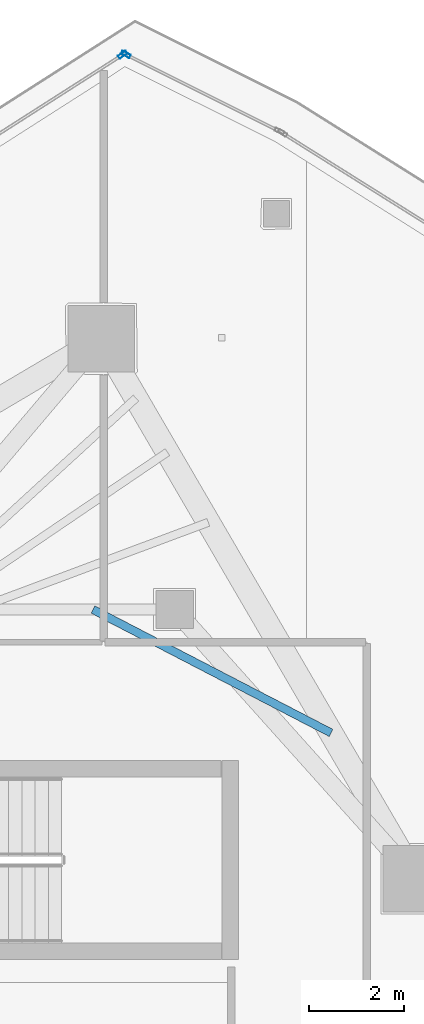
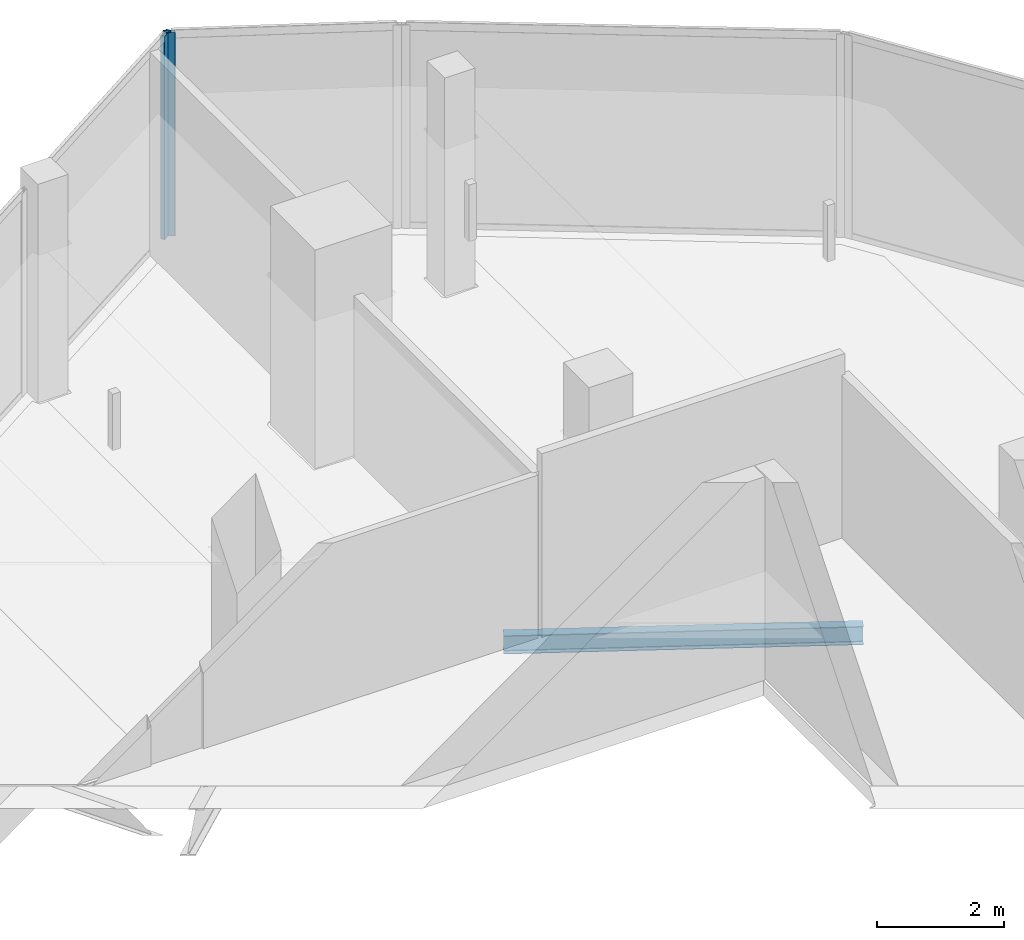
# One storey, part 16 of 27: 2 members, 1 beam, 2 elements without a shape of their own.
"""IFC4 building model written with IfcOpenShell, lengths in metres."""

import ifcopenshell
import ifcopenshell.guid

model = None  # the IFC model being written
_history = None  # IfcOwnerHistory: only IFC2X3 demands one
_inside = {}  # id of a spatial element -> (the spatial element, [elements in it])
_under = {}  # id of a project, library or spatial element -> (it, [spatial elements below it])
_declared = {}  # id of a project -> (the project, [libraries it declares])
_typed = {}  # id of a type object -> (the type object, [elements of that type])
_made_of = {}  # id of a material, layer set ... -> (it, [elements and type objects made of it])


def new_model(schema):
    """Start an empty IFC model of exactly this schema.

    Asked for "IFC4X3", IfcOpenShell would pick the latest addendum, in which some entities
    have other attributes; the version numbers below select the first issue.
    IFC2X3 requires an IfcOwnerHistory on every rooted entity: one is made here for all.
    """
    global model, _history
    if schema == "IFC4X3":
        model = ifcopenshell.file(schema_version=(4, 3, 0, 0))
    else:
        model = ifcopenshell.file(schema=schema)
    _inside.clear()
    _under.clear()
    _declared.clear()
    _typed.clear()
    _made_of.clear()
    _history = None
    if model.schema == "IFC2X3":
        org = make("IfcOrganization", Name="unknown")
        user = make(
            "IfcPersonAndOrganization",
            ThePerson=make("IfcPerson", FamilyName="unknown"),
            TheOrganization=org,
        )
        app = make(
            "IfcApplication",
            ApplicationDeveloper=org,
            Version="unknown",
            ApplicationFullName="unknown",
            ApplicationIdentifier="unknown",
        )
        _history = make(
            "IfcOwnerHistory",
            OwningUser=user,
            OwningApplication=app,
            ChangeAction="ADDED",
            CreationDate=0,
        )
    return model


def make(cls, **values):
    """One entity of the class cls with the attributes given. An attribute that is None is left unset."""
    return model.create_entity(
        cls, **{name: value for name, value in values.items() if value is not None}
    )


def rooted(cls, **values):
    """An entity with a GlobalId (a new one), such as an element, a storey or a relation."""
    return make(cls, GlobalId=ifcopenshell.guid.new(), OwnerHistory=_history, **values)


def si_unit(unit_type, name, prefix=None):
    """IfcSIUnit, for example si_unit("LENGTHUNIT", "METRE", prefix="MILLI")."""
    return make("IfcSIUnit", UnitType=unit_type, Prefix=prefix, Name=name)


def assignment(units):
    """IfcUnitAssignment: the units of a project."""
    return None if units is None else make("IfcUnitAssignment", Units=units)


def point(xyz):
    """IfcCartesianPoint."""
    return None if xyz is None else make("IfcCartesianPoint", Coordinates=xyz)


def direction(xyz):
    """IfcDirection."""
    return None if xyz is None else make("IfcDirection", DirectionRatios=xyz)


def frame(location, z_axis=None, x_axis=None):
    """IfcAxis2Placement3D, a coordinate frame: its origin and axes. An axis left out is left unset."""
    return make(
        "IfcAxis2Placement3D",
        Location=point(location),
        Axis=direction(z_axis),
        RefDirection=direction(x_axis),
    )


def frame_2d(location, x_axis=None):
    """IfcAxis2Placement2D, a coordinate frame in the plane: its origin and x axis."""
    return make(
        "IfcAxis2Placement2D", Location=point(location), RefDirection=direction(x_axis)
    )


def origin():
    """The frame at (0, 0, 0) with its axes left unset."""
    return frame((0.0, 0.0, 0.0))


def origin_2d():
    """The frame at (0, 0) in the plane with its x axis left unset."""
    return frame_2d((0.0, 0.0))


def place(relative_to, where):
    """IfcLocalPlacement: puts the frame where relative to a parent placement (None: the world)."""
    return make(
        "IfcLocalPlacement", PlacementRelTo=relative_to, RelativePlacement=where
    )


def context(
    kind, dimensions, precision=None, world=None, true_north=None, identifier=None
):
    """IfcGeometricRepresentationContext, for example the 3D "Model" context."""
    return make(
        "IfcGeometricRepresentationContext",
        ContextIdentifier=identifier,
        ContextType=kind,
        CoordinateSpaceDimension=dimensions,
        Precision=precision,
        WorldCoordinateSystem=world,
        TrueNorth=true_north,
    )


def subcontext(parent, identifier, kind, view, scale=None):
    """IfcGeometricRepresentationSubContext, for example "Body" below "Model"."""
    return make(
        "IfcGeometricRepresentationSubContext",
        ContextIdentifier=identifier,
        ContextType=kind,
        ParentContext=parent,
        TargetScale=scale,
        TargetView=view,
    )


def project(units=None, contexts=None):
    """IfcProject with its units and contexts."""
    return rooted(
        "IfcProject",
        Name="project",
        RepresentationContexts=contexts,
        UnitsInContext=assignment(units),
    )


def spatial(cls, under=None, at=None, **own):
    """A site, building, storey or space (cls), placed at a placement, below another one or the project."""
    s = rooted(cls, ObjectPlacement=at, **own)
    if under is not None:
        _under.setdefault(under.id(), (under, []))[1].append(s)
    return s


def profile(cls, at=None, kind="AREA", **sizes):
    """A parametric profile (cls). Its sizes go by their IFC names, for example OverallWidth=200.0."""
    return make(cls, ProfileType=kind, Position=at, **sizes)


def hollow_rectangle(**sizes):
    """IfcRectangleHollowProfileDef."""
    return profile("IfcRectangleHollowProfileDef", **sizes)


def i_section(**sizes):
    """IfcIShapeProfileDef."""
    return profile("IfcIShapeProfileDef", **sizes)


def extrude(swept, where, along, depth):
    """IfcExtrudedAreaSolid: the profile swept, set in the frame where, extruded along a direction by depth."""
    return make(
        "IfcExtrudedAreaSolid",
        SweptArea=swept,
        Position=where,
        ExtrudedDirection=direction(along),
        Depth=depth,
    )


def shape(context_of_items, identifier, shape_type, items):
    """IfcShapeRepresentation: the items that make up one representation, for example the "Body"."""
    return make(
        "IfcShapeRepresentation",
        ContextOfItems=context_of_items,
        RepresentationIdentifier=identifier,
        RepresentationType=shape_type,
        Items=items,
    )


def material(Name=None, Category=None):
    """IfcMaterial."""
    return make("IfcMaterial", Name=Name, Category=Category)


def layer(
    of_material, thickness, ventilated=None, Name=None, Category=None, Priority=None
):
    """IfcMaterialLayer: one layer of a wall or slab, of a material (None: an air gap)."""
    return make(
        "IfcMaterialLayer",
        Material=of_material,
        LayerThickness=thickness,
        IsVentilated=ventilated,
        Name=Name,
        Category=Category,
        Priority=Priority,
    )


def layer_set(layers, Name=None):
    """IfcMaterialLayerSet."""
    return make("IfcMaterialLayerSet", MaterialLayers=layers, LayerSetName=Name)


def material_profile(
    of_material, cross_section, Name=None, Category=None, Priority=None
):
    """IfcMaterialProfile: a cross section and its material."""
    return make(
        "IfcMaterialProfile",
        Name=Name,
        Material=of_material,
        Profile=cross_section,
        Priority=Priority,
        Category=Category,
    )


def profile_set(profiles, Name=None, composite=None):
    """IfcMaterialProfileSet."""
    return make(
        "IfcMaterialProfileSet",
        Name=Name,
        MaterialProfiles=profiles,
        CompositeProfile=composite,
    )


def made_of(thing, what):
    """Note that an element or type object is made of a material, layer set ...; save() writes the relation."""
    if what is not None:
        _made_of.setdefault(what.id(), (what, []))[1].append(thing)
    return thing


def type_object(cls, material=None, **own):
    """A type object (cls), such as IfcWallType, which elements share."""
    return made_of(rooted(cls, **own), material)


def element(
    cls,
    number,
    at=None,
    inside=None,
    cuts=None,
    type_object=None,
    material=None,
    context=None,
    identifier="Body",
    shape_type=None,
    held_by="IfcProductDefinitionShape",
    body=None,
    shapes=None,
    **own,
):
    """One element of the class cls, such as IfcWall. Its Tag is "e" and its number.

    at: its placement. inside: the storey or other place that contains it. cuts: it is an
    opening in that element (IfcRelVoidsElement). A single representation is given by context,
    identifier, shape_type and body (its items); several are given by shapes. held_by: the class
    of the entity that holds the representations. save() writes the other relations.
    """
    e = rooted(cls, Tag="e%d" % number, ObjectPlacement=at, **own)
    if body is not None:
        shapes = [shape(context, identifier, shape_type, body)]
    if shapes is not None:
        e.Representation = make(held_by, Representations=shapes)
    if inside is not None:
        _inside.setdefault(inside.id(), (inside, []))[1].append(e)
    if cuts is not None:
        rooted(
            "IfcRelVoidsElement", RelatingBuildingElement=cuts, RelatedOpeningElement=e
        )
    if type_object is not None:
        _typed.setdefault(type_object.id(), (type_object, []))[1].append(e)
    return made_of(e, material)


def aggregate(whole, parts):
    """IfcRelAggregates: a whole, such as a stair, and the parts it consists of."""
    return rooted("IfcRelAggregates", RelatingObject=whole, RelatedObjects=parts)


def save(model, path):
    """Write the relations noted so far, then the file.

    IfcRelAggregates (storeys below a building ...), IfcRelContainedInSpatialStructure (elements
    in a storey), IfcRelDefinesByType, IfcRelAssociatesMaterial and IfcRelDeclares: one each for
    every whole, place, type object, material and project.
    """
    for whole, parts in _under.values():
        aggregate(whole, parts)
    for where, things in _inside.values():
        rooted(
            "IfcRelContainedInSpatialStructure",
            RelatedElements=things,
            RelatingStructure=where,
        )
    for kind, things in _typed.values():
        rooted("IfcRelDefinesByType", RelatedObjects=things, RelatingType=kind)
    for what, things in _made_of.values():
        rooted("IfcRelAssociatesMaterial", RelatedObjects=things, RelatingMaterial=what)
    for by, libraries in _declared.values():
        rooted("IfcRelDeclares", RelatingContext=by, RelatedDefinitions=libraries)
    model.write(path)


model = new_model("IFC4")

# Units and contexts
model_context = context("Model", 3, precision=1e-05, world=origin(), true_north=direction((0.0, 1.0)))
body_context = subcontext(model_context, "Body", "Model", "MODEL_VIEW")
ifc_project = project(units=[si_unit("LENGTHUNIT", "METRE"), si_unit("AREAUNIT", "SQUARE_METRE"), si_unit("VOLUMEUNIT", "CUBIC_METRE"), si_unit("PLANEANGLEUNIT", "RADIAN"), si_unit("MASSUNIT", "GRAM", prefix="KILO")], contexts=[model_context])

# Site, building, storey
site_placement = place(None, origin())
site = spatial("IfcSite", under=ifc_project, at=site_placement, CompositionType="ELEMENT")
building_placement = place(site_placement, origin())
building = spatial("IfcBuilding", under=site, at=building_placement, Name="Qorvath Tower", CompositionType="ELEMENT")
storey_placement = place(building_placement, frame((0.0, 0.0, 293.39990234375)))
storey = spatial("IfcBuildingStorey", under=building, at=storey_placement, Name="L68", CompositionType="ELEMENT", Elevation=293.39990234375)

# Beam
ifc_material_1 = material(Name="Steel ASTM A992 Grade 50", Category="steel")
ifc_material_profile_1 = material_profile(ifc_material_1, i_section(OverallWidth=0.1708984375, OverallDepth=0.35107421875, WebThickness=0.0068359375, FlangeThickness=0.009765625, FilletRadius=0.010009765625, at=origin_2d()), Name="W14x30")
ifc_profile_set_1 = profile_set([ifc_material_profile_1], Name="Steel ASTM A992 Grade 50")
beam_type = type_object("IfcBeamType", Name="BM-FJ4", PredefinedType="JOIST", material=ifc_profile_set_1)
beam_placement = place(storey_placement, frame((-18.927978515625, 11.449951171875, -0.46533203125), z_axis=(0.887840529015, -0.460151274082, 0.0), x_axis=(0.460151274082, 0.887840529015, 0.0)))
element("IfcBeam", 1, at=beam_placement, inside=storey, type_object=beam_type, Name="Composite Floor Joist NE2 L68", PredefinedType="JOIST", context=body_context, shape_type="SweptSolid", body=[
    extrude(i_section(OverallWidth=0.1708984375, OverallDepth=0.35107421875, WebThickness=0.0068359375, FlangeThickness=0.009765625, FilletRadius=0.010009765625, at=origin_2d()), origin(), (0.0, 0.0, 1.0), 5.670654296875),
])

# Curtain wall, member
ifc_material_2 = material(Name="Anodised aluminium and triple low-E glass", Category="aluminium")
ifc_layer = layer(ifc_material_2, 0.179931640625)
ifc_layer_set = layer_set([ifc_layer], Name="CW-SYS-5")
curtain_wall_type = type_object("IfcCurtainWallType", Name="CW-SYS-5", PredefinedType="NOTDEFINED", material=ifc_layer_set)
curtain_wall_1_placement = place(storey_placement, origin())
curtain_wall_1 = element("IfcCurtainWall", 2, at=curtain_wall_1_placement, inside=storey, type_object=curtain_wall_type, Name="Curtain Wall CW-5 CW-T-L68-15.1", PredefinedType="NOTDEFINED")
ifc_material_3 = material(Name="Anodised aluminium 6063-T6", Category="aluminium")
ifc_material_profile_2 = material_profile(ifc_material_3, hollow_rectangle(XDim=0.074951171875, YDim=0.199951171875, WallThickness=0.00390625, InnerFilletRadius=0.00390625, OuterFilletRadius=0.008056640625, at=origin_2d()), Name="CWM 200x75")
ifc_profile_set_2 = profile_set([ifc_material_profile_2], Name="Anodised aluminium 6063-T6")
member_type = type_object("IfcMemberType", Name="CWM-200", PredefinedType="MULLION", material=ifc_profile_set_2)
member_1_placement = place(storey_placement, frame((-18.232666015625, 23.1845703125, 0.0), z_axis=(0.0, 0.0, 1.0), x_axis=(-0.447213595499, -0.894427191001, 0.0)))
member_1 = element("IfcMember", 3, at=member_1_placement, type_object=member_type, Name="CW-5 mullion 2", PredefinedType="MULLION", context=body_context, shape_type="SweptSolid", body=[
    extrude(hollow_rectangle(XDim=0.074951171875, YDim=0.199951171875, WallThickness=0.00390625, InnerFilletRadius=0.00390625, OuterFilletRadius=0.008056640625, at=origin_2d()), origin(), (0.0, 0.0, 1.0), 3.91015625),
])
aggregate(curtain_wall_1, [member_1])

curtain_wall_2_placement = place(storey_placement, origin())
curtain_wall_2 = element("IfcCurtainWall", 4, at=curtain_wall_2_placement, inside=storey, type_object=curtain_wall_type, Name="Curtain Wall CW-5 CW-T-L68-16.1", PredefinedType="NOTDEFINED")
member_2_placement = place(storey_placement, frame((-18.297607421875, 23.18115234375, 0.0), z_axis=(0.0, 0.0, 1.0), x_axis=(0.53854195168, -0.842598698243, 0.0)))
member_2 = element("IfcMember", 5, at=member_2_placement, type_object=member_type, Name="CW-5 mullion 1", PredefinedType="MULLION", context=body_context, shape_type="SweptSolid", body=[
    extrude(hollow_rectangle(XDim=0.074951171875, YDim=0.199951171875, WallThickness=0.00390625, InnerFilletRadius=0.00390625, OuterFilletRadius=0.008056640625, at=origin_2d()), origin(), (0.0, 0.0, 1.0), 3.91015625),
])
aggregate(curtain_wall_2, [member_2])

save(model, "model.ifc")
